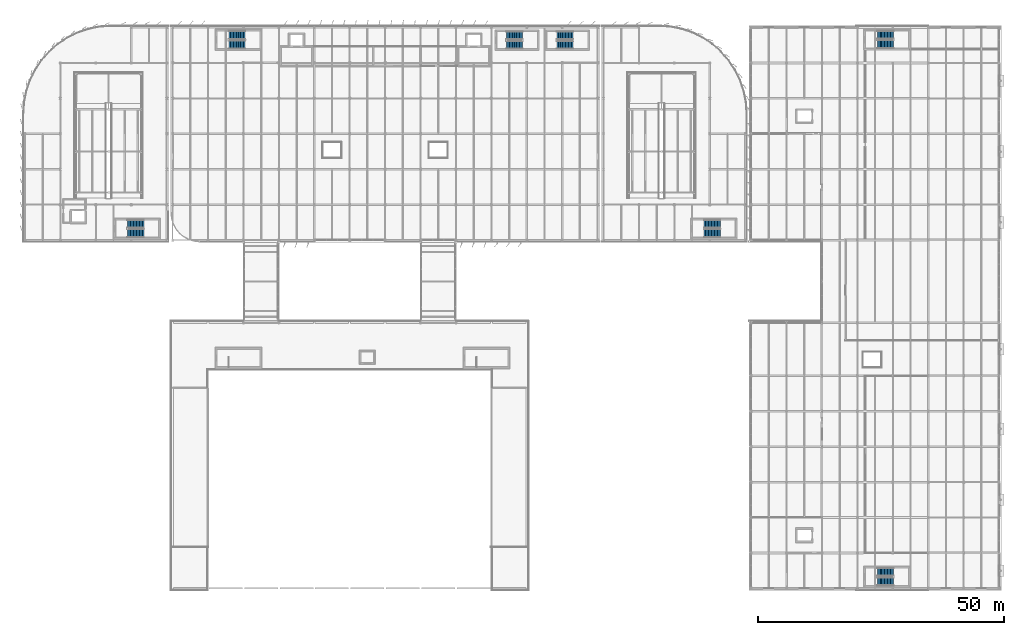
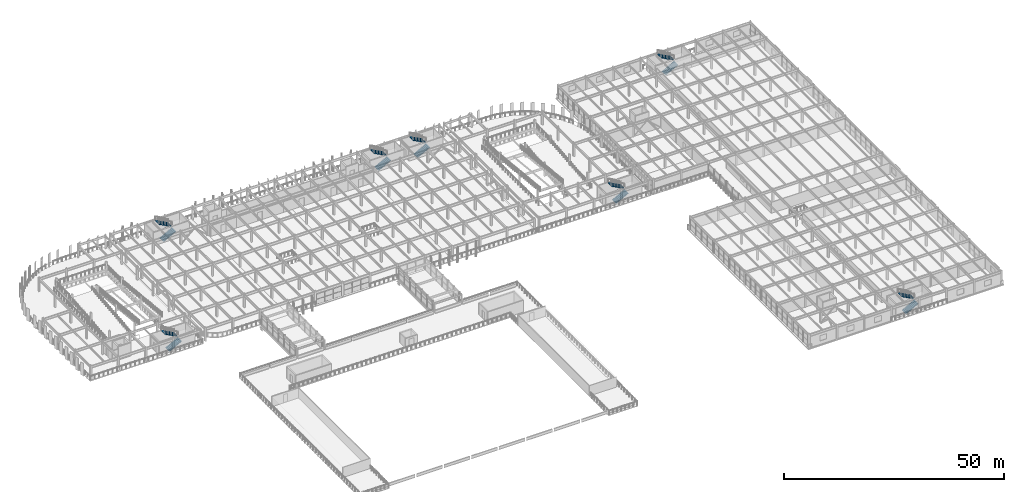
# One storey, part 69 of 93: 14 stair flights, 7 elements without a shape of their own.
"""IFC4 building model written with IfcOpenShell, lengths in metres."""

import ifcopenshell
import ifcopenshell.guid

model = None  # the IFC model being written
_history = None  # IfcOwnerHistory: only IFC2X3 demands one
_inside = {}  # id of a spatial element -> (the spatial element, [elements in it])
_under = {}  # id of a project, library or spatial element -> (it, [spatial elements below it])
_declared = {}  # id of a project -> (the project, [libraries it declares])
_typed = {}  # id of a type object -> (the type object, [elements of that type])
_made_of = {}  # id of a material, layer set ... -> (it, [elements and type objects made of it])


def new_model(schema):
    """Start an empty IFC model of exactly this schema.

    Asked for "IFC4X3", IfcOpenShell would pick the latest addendum, in which some entities
    have other attributes; the version numbers below select the first issue.
    IFC2X3 requires an IfcOwnerHistory on every rooted entity: one is made here for all.
    """
    global model, _history
    if schema == "IFC4X3":
        model = ifcopenshell.file(schema_version=(4, 3, 0, 0))
    else:
        model = ifcopenshell.file(schema=schema)
    _inside.clear()
    _under.clear()
    _declared.clear()
    _typed.clear()
    _made_of.clear()
    _history = None
    if model.schema == "IFC2X3":
        org = make("IfcOrganization", Name="unknown")
        user = make(
            "IfcPersonAndOrganization",
            ThePerson=make("IfcPerson", FamilyName="unknown"),
            TheOrganization=org,
        )
        app = make(
            "IfcApplication",
            ApplicationDeveloper=org,
            Version="unknown",
            ApplicationFullName="unknown",
            ApplicationIdentifier="unknown",
        )
        _history = make(
            "IfcOwnerHistory",
            OwningUser=user,
            OwningApplication=app,
            ChangeAction="ADDED",
            CreationDate=0,
        )
    return model


def make(cls, **values):
    """One entity of the class cls with the attributes given. An attribute that is None is left unset."""
    return model.create_entity(
        cls, **{name: value for name, value in values.items() if value is not None}
    )


def rooted(cls, **values):
    """An entity with a GlobalId (a new one), such as an element, a storey or a relation."""
    return make(cls, GlobalId=ifcopenshell.guid.new(), OwnerHistory=_history, **values)


def si_unit(unit_type, name, prefix=None):
    """IfcSIUnit, for example si_unit("LENGTHUNIT", "METRE", prefix="MILLI")."""
    return make("IfcSIUnit", UnitType=unit_type, Prefix=prefix, Name=name)


def assignment(units):
    """IfcUnitAssignment: the units of a project."""
    return None if units is None else make("IfcUnitAssignment", Units=units)


def point(xyz):
    """IfcCartesianPoint."""
    return None if xyz is None else make("IfcCartesianPoint", Coordinates=xyz)


def direction(xyz):
    """IfcDirection."""
    return None if xyz is None else make("IfcDirection", DirectionRatios=xyz)


def frame(location, z_axis=None, x_axis=None):
    """IfcAxis2Placement3D, a coordinate frame: its origin and axes. An axis left out is left unset."""
    return make(
        "IfcAxis2Placement3D",
        Location=point(location),
        Axis=direction(z_axis),
        RefDirection=direction(x_axis),
    )


def origin():
    """The frame at (0, 0, 0) with its axes left unset."""
    return frame((0.0, 0.0, 0.0))


def place(relative_to, where):
    """IfcLocalPlacement: puts the frame where relative to a parent placement (None: the world)."""
    return make(
        "IfcLocalPlacement", PlacementRelTo=relative_to, RelativePlacement=where
    )


def context(
    kind, dimensions, precision=None, world=None, true_north=None, identifier=None
):
    """IfcGeometricRepresentationContext, for example the 3D "Model" context."""
    return make(
        "IfcGeometricRepresentationContext",
        ContextIdentifier=identifier,
        ContextType=kind,
        CoordinateSpaceDimension=dimensions,
        Precision=precision,
        WorldCoordinateSystem=world,
        TrueNorth=true_north,
    )


def subcontext(parent, identifier, kind, view, scale=None):
    """IfcGeometricRepresentationSubContext, for example "Body" below "Model"."""
    return make(
        "IfcGeometricRepresentationSubContext",
        ContextIdentifier=identifier,
        ContextType=kind,
        ParentContext=parent,
        TargetScale=scale,
        TargetView=view,
    )


def project(units=None, contexts=None):
    """IfcProject with its units and contexts."""
    return rooted(
        "IfcProject",
        Name="project",
        RepresentationContexts=contexts,
        UnitsInContext=assignment(units),
    )


def spatial(cls, under=None, at=None, **own):
    """A site, building, storey or space (cls), placed at a placement, below another one or the project."""
    s = rooted(cls, ObjectPlacement=at, **own)
    if under is not None:
        _under.setdefault(under.id(), (under, []))[1].append(s)
    return s


def polyline(points):
    """IfcPolyline through the points."""
    return make("IfcPolyline", Points=[point(p) for p in points])


def outline(outer, holes=None, kind="AREA"):
    """IfcArbitraryClosedProfileDef: a profile drawn as a closed curve; with holes, ...WithVoids."""
    if holes is None:
        return make("IfcArbitraryClosedProfileDef", ProfileType=kind, OuterCurve=outer)
    return make(
        "IfcArbitraryProfileDefWithVoids",
        ProfileType=kind,
        OuterCurve=outer,
        InnerCurves=holes,
    )


def extrude(swept, where, along, depth):
    """IfcExtrudedAreaSolid: the profile swept, set in the frame where, extruded along a direction by depth."""
    return make(
        "IfcExtrudedAreaSolid",
        SweptArea=swept,
        Position=where,
        ExtrudedDirection=direction(along),
        Depth=depth,
    )


def shape(context_of_items, identifier, shape_type, items):
    """IfcShapeRepresentation: the items that make up one representation, for example the "Body"."""
    return make(
        "IfcShapeRepresentation",
        ContextOfItems=context_of_items,
        RepresentationIdentifier=identifier,
        RepresentationType=shape_type,
        Items=items,
    )


def material(Name=None, Category=None):
    """IfcMaterial."""
    return make("IfcMaterial", Name=Name, Category=Category)


def layer(
    of_material, thickness, ventilated=None, Name=None, Category=None, Priority=None
):
    """IfcMaterialLayer: one layer of a wall or slab, of a material (None: an air gap)."""
    return make(
        "IfcMaterialLayer",
        Material=of_material,
        LayerThickness=thickness,
        IsVentilated=ventilated,
        Name=Name,
        Category=Category,
        Priority=Priority,
    )


def layer_set(layers, Name=None):
    """IfcMaterialLayerSet."""
    return make("IfcMaterialLayerSet", MaterialLayers=layers, LayerSetName=Name)


def made_of(thing, what):
    """Note that an element or type object is made of a material, layer set ...; save() writes the relation."""
    if what is not None:
        _made_of.setdefault(what.id(), (what, []))[1].append(thing)
    return thing


def type_object(cls, material=None, **own):
    """A type object (cls), such as IfcWallType, which elements share."""
    return made_of(rooted(cls, **own), material)


def element(
    cls,
    number,
    at=None,
    inside=None,
    cuts=None,
    type_object=None,
    material=None,
    context=None,
    identifier="Body",
    shape_type=None,
    held_by="IfcProductDefinitionShape",
    body=None,
    shapes=None,
    **own,
):
    """One element of the class cls, such as IfcWall. Its Tag is "e" and its number.

    at: its placement. inside: the storey or other place that contains it. cuts: it is an
    opening in that element (IfcRelVoidsElement). A single representation is given by context,
    identifier, shape_type and body (its items); several are given by shapes. held_by: the class
    of the entity that holds the representations. save() writes the other relations.
    """
    e = rooted(cls, Tag="e%d" % number, ObjectPlacement=at, **own)
    if body is not None:
        shapes = [shape(context, identifier, shape_type, body)]
    if shapes is not None:
        e.Representation = make(held_by, Representations=shapes)
    if inside is not None:
        _inside.setdefault(inside.id(), (inside, []))[1].append(e)
    if cuts is not None:
        rooted(
            "IfcRelVoidsElement", RelatingBuildingElement=cuts, RelatedOpeningElement=e
        )
    if type_object is not None:
        _typed.setdefault(type_object.id(), (type_object, []))[1].append(e)
    return made_of(e, material)


def aggregate(whole, parts):
    """IfcRelAggregates: a whole, such as a stair, and the parts it consists of."""
    return rooted("IfcRelAggregates", RelatingObject=whole, RelatedObjects=parts)


def save(model, path):
    """Write the relations noted so far, then the file.

    IfcRelAggregates (storeys below a building ...), IfcRelContainedInSpatialStructure (elements
    in a storey), IfcRelDefinesByType, IfcRelAssociatesMaterial and IfcRelDeclares: one each for
    every whole, place, type object, material and project.
    """
    for whole, parts in _under.values():
        aggregate(whole, parts)
    for where, things in _inside.values():
        rooted(
            "IfcRelContainedInSpatialStructure",
            RelatedElements=things,
            RelatingStructure=where,
        )
    for kind, things in _typed.values():
        rooted("IfcRelDefinesByType", RelatedObjects=things, RelatingType=kind)
    for what, things in _made_of.values():
        rooted("IfcRelAssociatesMaterial", RelatedObjects=things, RelatingMaterial=what)
    for by, libraries in _declared.values():
        rooted("IfcRelDeclares", RelatingContext=by, RelatedDefinitions=libraries)
    model.write(path)


model = new_model("IFC4")

# Units and contexts
model_context = context("Model", 3, precision=1e-05, world=origin(), true_north=direction((0.0, 1.0)))
body_context = subcontext(model_context, "Body", "Model", "MODEL_VIEW")
ifc_project = project(units=[si_unit("LENGTHUNIT", "METRE"), si_unit("AREAUNIT", "SQUARE_METRE"), si_unit("VOLUMEUNIT", "CUBIC_METRE"), si_unit("PLANEANGLEUNIT", "RADIAN"), si_unit("MASSUNIT", "GRAM", prefix="KILO")], contexts=[model_context])

# Site, building, storey
site_placement = place(None, origin())
site = spatial("IfcSite", under=ifc_project, at=site_placement, CompositionType="ELEMENT")
building_placement = place(site_placement, origin())
building = spatial("IfcBuilding", under=site, at=building_placement, Name="Vaelcorin Mobility Hub", CompositionType="ELEMENT")
storey_placement = place(building_placement, frame((0.0, 0.0, 5.39990234375)))
storey = spatial("IfcBuildingStorey", under=building, at=storey_placement, Name="L01", CompositionType="ELEMENT", Elevation=5.39990234375)

# Stair, stair flights
ifc_material = material(Name="Reinforced concrete f'c 45 MPa", Category="concrete")
stair_type_1 = type_object("IfcStairType", Name="STAIR-ST1", PredefinedType="HALF_TURN_STAIR", material=ifc_material)
stair_1_placement = place(storey_placement, origin())
stair_1 = element("IfcStair", 1, at=stair_1_placement, inside=storey, type_object=stair_type_1, Name="L01 Protected Exit Stair ST1", PredefinedType="HALF_TURN_STAIR")
ifc_layer_1 = layer(ifc_material, 0.2080078125)
ifc_layer_set_1 = layer_set([ifc_layer_1], Name="Reinforced concrete f'c 45 MPa")
stair_flight_type_1 = type_object("IfcStairFlightType", Name="FLT-ST1", PredefinedType="STRAIGHT", material=ifc_layer_set_1)
stair_flight_1_placement = place(storey_placement, frame((26.85009765625, 78.18994140625, 0.0), z_axis=(0.0, 0.0, 1.0), x_axis=(1.0, 0.0, 0.0)))
stair_flight_1 = element("IfcStairFlight", 2, at=stair_flight_1_placement, type_object=stair_flight_type_1, Name="ST1 flight 1", NumberOfRisers=12, NumberOfTreads=11, PredefinedType="STRAIGHT", RiserHeight=0.1625, TreadLength=0.3, context=body_context, shape_type="SweptSolid", body=[
    extrude(outline(polyline([(0.0, 0.0), (0.0, 0.16259765625), (0.300048828125, 0.16259765625), (0.300048828125, 0.324951171875), (0.60009765625, 0.324951171875), (0.60009765625, 0.487548828125), (0.89990234375, 0.487548828125), (0.89990234375, 0.64990234375), (1.199951171875, 0.64990234375), (1.199951171875, 0.8125), (1.5, 0.8125), (1.5, 0.97509765625), (1.800048828125, 0.97509765625), (1.800048828125, 1.137451171875), (2.10009765625, 1.137451171875), (2.10009765625, 1.300048828125), (2.39990234375, 1.300048828125), (2.39990234375, 1.46240234375), (2.699951171875, 1.46240234375), (2.699951171875, 1.625), (3.0, 1.625), (3.0, 1.78759765625), (3.300048828125, 1.78759765625), (3.300048828125, 1.949951171875), (3.300048828125, 1.605712890625), (0.335693359375, 0.0), (0.0, 0.0)])), frame((0.0, 0.83984375, 0.0), z_axis=(0.0, -1.0, 0.0), x_axis=(1.0, 0.0, 0.0)), (0.0, 0.0, 1.0), 1.679931640625),
])
stair_flight_2_placement = place(storey_placement, frame((30.14990234375, 80.070068359375, 1.9501953125), z_axis=(0.0, 0.0, 1.0), x_axis=(-1.0, 0.0, 0.0)))
stair_flight_2 = element("IfcStairFlight", 3, at=stair_flight_2_placement, type_object=stair_flight_type_1, Name="ST1 flight 2", NumberOfRisers=12, NumberOfTreads=11, PredefinedType="STRAIGHT", RiserHeight=0.1625, TreadLength=0.3, context=body_context, shape_type="SweptSolid", body=[
    extrude(outline(polyline([(0.0, 0.0), (0.0, 0.16259765625), (0.300048828125, 0.16259765625), (0.300048828125, 0.324951171875), (0.60009765625, 0.324951171875), (0.60009765625, 0.487548828125), (0.89990234375, 0.487548828125), (0.89990234375, 0.64990234375), (1.199951171875, 0.64990234375), (1.199951171875, 0.8125), (1.5, 0.8125), (1.5, 0.97509765625), (1.800048828125, 0.97509765625), (1.800048828125, 1.137451171875), (2.10009765625, 1.137451171875), (2.10009765625, 1.300048828125), (2.39990234375, 1.300048828125), (2.39990234375, 1.46240234375), (2.699951171875, 1.46240234375), (2.699951171875, 1.625), (3.0, 1.625), (3.0, 1.78759765625), (3.300048828125, 1.78759765625), (3.300048828125, 1.949951171875), (3.300048828125, 1.605712890625), (0.335693359375, 0.0), (0.0, 0.0)])), frame((0.0, 0.83984375, 0.0), z_axis=(0.0, -1.0, 0.0), x_axis=(1.0, 0.0, 0.0)), (0.0, 0.0, 1.0), 1.679931640625),
])
aggregate(stair_1, [stair_flight_1, stair_flight_2])

stair_type_2 = type_object("IfcStairType", Name="STAIR-ST2", PredefinedType="HALF_TURN_STAIR", material=ifc_material)
stair_2_placement = place(storey_placement, origin())
stair_2 = element("IfcStair", 4, at=stair_2_placement, inside=storey, type_object=stair_type_2, Name="L01 Protected Exit Stair ST2", PredefinedType="HALF_TURN_STAIR")
ifc_layer_2 = layer(ifc_material, 0.216064453125)
ifc_layer_set_2 = layer_set([ifc_layer_2], Name="Reinforced concrete f'c 45 MPa")
stair_flight_type_2 = type_object("IfcStairFlightType", Name="FLT-ST2", PredefinedType="STRAIGHT", material=ifc_layer_set_2)
stair_flight_3_placement = place(storey_placement, frame((144.050048828125, 78.18994140625, 0.0), z_axis=(0.0, 0.0, 1.0), x_axis=(1.0, 0.0, 0.0)))
stair_flight_3 = element("IfcStairFlight", 5, at=stair_flight_3_placement, type_object=stair_flight_type_2, Name="ST2 flight 1", NumberOfRisers=12, NumberOfTreads=11, PredefinedType="STRAIGHT", RiserHeight=0.1625, TreadLength=0.3, context=body_context, shape_type="SweptSolid", body=[
    extrude(outline(polyline([(0.0, 0.0), (0.0, 0.16259765625), (0.300048828125, 0.16259765625), (0.300048828125, 0.324951171875), (0.60009765625, 0.324951171875), (0.60009765625, 0.487548828125), (0.89990234375, 0.487548828125), (0.89990234375, 0.64990234375), (1.199951171875, 0.64990234375), (1.199951171875, 0.8125), (1.5, 0.8125), (1.5, 0.97509765625), (1.800048828125, 0.97509765625), (1.800048828125, 1.137451171875), (2.10009765625, 1.137451171875), (2.10009765625, 1.300048828125), (2.39990234375, 1.300048828125), (2.39990234375, 1.46240234375), (2.699951171875, 1.46240234375), (2.699951171875, 1.625), (3.0, 1.625), (3.0, 1.78759765625), (3.300048828125, 1.78759765625), (3.300048828125, 1.949951171875), (3.300048828125, 1.605712890625), (0.335693359375, 0.0), (0.0, 0.0)])), frame((0.0, 0.83984375, 0.0), z_axis=(0.0, -1.0, 0.0), x_axis=(1.0, 0.0, 0.0)), (0.0, 0.0, 1.0), 1.679931640625),
])
stair_flight_4_placement = place(storey_placement, frame((147.35009765625, 80.070068359375, 1.9501953125), z_axis=(0.0, 0.0, 1.0), x_axis=(-1.0, 0.0, 0.0)))
stair_flight_4 = element("IfcStairFlight", 6, at=stair_flight_4_placement, type_object=stair_flight_type_2, Name="ST2 flight 2", NumberOfRisers=12, NumberOfTreads=11, PredefinedType="STRAIGHT", RiserHeight=0.1625, TreadLength=0.3, context=body_context, shape_type="SweptSolid", body=[
    extrude(outline(polyline([(0.0, 0.0), (0.0, 0.16259765625), (0.300048828125, 0.16259765625), (0.300048828125, 0.324951171875), (0.60009765625, 0.324951171875), (0.60009765625, 0.487548828125), (0.89990234375, 0.487548828125), (0.89990234375, 0.64990234375), (1.199951171875, 0.64990234375), (1.199951171875, 0.8125), (1.5, 0.8125), (1.5, 0.97509765625), (1.800048828125, 0.97509765625), (1.800048828125, 1.137451171875), (2.10009765625, 1.137451171875), (2.10009765625, 1.300048828125), (2.39990234375, 1.300048828125), (2.39990234375, 1.46240234375), (2.699951171875, 1.46240234375), (2.699951171875, 1.625), (3.0, 1.625), (3.0, 1.78759765625), (3.300048828125, 1.78759765625), (3.300048828125, 1.949951171875), (3.300048828125, 1.605712890625), (0.335693359375, 0.0), (0.0, 0.0)])), frame((0.0, 0.83984375, 0.0), z_axis=(0.0, -1.0, 0.0), x_axis=(1.0, 0.0, 0.0)), (0.0, 0.0, 1.0), 1.679931640625),
])
aggregate(stair_2, [stair_flight_3, stair_flight_4])

stair_type_3 = type_object("IfcStairType", Name="STAIR-ST3", PredefinedType="HALF_TURN_STAIR", material=ifc_material)
stair_3_placement = place(storey_placement, origin())
stair_3 = element("IfcStair", 7, at=stair_3_placement, inside=storey, type_object=stair_type_3, Name="L01 Protected Exit Stair ST3", PredefinedType="HALF_TURN_STAIR")
ifc_layer_3 = layer(ifc_material, 0.22412109375)
ifc_layer_set_3 = layer_set([ifc_layer_3], Name="Reinforced concrete f'c 45 MPa")
stair_flight_type_3 = type_object("IfcStairFlightType", Name="FLT-ST3", PredefinedType="STRAIGHT", material=ifc_layer_set_3)
stair_flight_5_placement = place(storey_placement, frame((47.449951171875, 116.52001953125, 0.0), z_axis=(0.0, 0.0, 1.0), x_axis=(1.0, 0.0, 0.0)))
stair_flight_5 = element("IfcStairFlight", 8, at=stair_flight_5_placement, type_object=stair_flight_type_3, Name="ST3 flight 1", NumberOfRisers=12, NumberOfTreads=11, PredefinedType="STRAIGHT", RiserHeight=0.1625, TreadLength=0.3, context=body_context, shape_type="SweptSolid", body=[
    extrude(outline(polyline([(0.0, 0.0), (0.0, 0.16259765625), (0.300048828125, 0.16259765625), (0.300048828125, 0.324951171875), (0.60009765625, 0.324951171875), (0.60009765625, 0.487548828125), (0.89990234375, 0.487548828125), (0.89990234375, 0.64990234375), (1.199951171875, 0.64990234375), (1.199951171875, 0.8125), (1.5, 0.8125), (1.5, 0.97509765625), (1.800048828125, 0.97509765625), (1.800048828125, 1.137451171875), (2.10009765625, 1.137451171875), (2.10009765625, 1.300048828125), (2.39990234375, 1.300048828125), (2.39990234375, 1.46240234375), (2.699951171875, 1.46240234375), (2.699951171875, 1.625), (3.0, 1.625), (3.0, 1.78759765625), (3.300048828125, 1.78759765625), (3.300048828125, 1.949951171875), (3.300048828125, 1.605712890625), (0.335693359375, 0.0), (0.0, 0.0)])), frame((0.0, 0.8701171875, 0.0), z_axis=(0.0, -1.0, 0.0), x_axis=(1.0, 0.0, 0.0)), (0.0, 0.0, 1.0), 1.739990234375),
])
stair_flight_6_placement = place(storey_placement, frame((50.75, 118.4599609375, 1.9501953125), z_axis=(0.0, 0.0, 1.0), x_axis=(-1.0, 0.0, 0.0)))
stair_flight_6 = element("IfcStairFlight", 9, at=stair_flight_6_placement, type_object=stair_flight_type_3, Name="ST3 flight 2", NumberOfRisers=12, NumberOfTreads=11, PredefinedType="STRAIGHT", RiserHeight=0.1625, TreadLength=0.3, context=body_context, shape_type="SweptSolid", body=[
    extrude(outline(polyline([(0.0, 0.0), (0.0, 0.16259765625), (0.300048828125, 0.16259765625), (0.300048828125, 0.324951171875), (0.60009765625, 0.324951171875), (0.60009765625, 0.487548828125), (0.89990234375, 0.487548828125), (0.89990234375, 0.64990234375), (1.199951171875, 0.64990234375), (1.199951171875, 0.8125), (1.5, 0.8125), (1.5, 0.97509765625), (1.800048828125, 0.97509765625), (1.800048828125, 1.137451171875), (2.10009765625, 1.137451171875), (2.10009765625, 1.300048828125), (2.39990234375, 1.300048828125), (2.39990234375, 1.46240234375), (2.699951171875, 1.46240234375), (2.699951171875, 1.625), (3.0, 1.625), (3.0, 1.78759765625), (3.300048828125, 1.78759765625), (3.300048828125, 1.949951171875), (3.300048828125, 1.605712890625), (0.335693359375, 0.0), (0.0, 0.0)])), frame((0.0, 0.8701171875, 0.0), z_axis=(0.0, -1.0, 0.0), x_axis=(1.0, 0.0, 0.0)), (0.0, 0.0, 1.0), 1.739990234375),
])
aggregate(stair_3, [stair_flight_5, stair_flight_6])

stair_type_4 = type_object("IfcStairType", Name="STAIR-ST4", PredefinedType="HALF_TURN_STAIR", material=ifc_material)
stair_4_placement = place(storey_placement, origin())
stair_4 = element("IfcStair", 10, at=stair_4_placement, inside=storey, type_object=stair_type_4, Name="L01 Protected Exit Stair ST4", PredefinedType="HALF_TURN_STAIR")
ifc_layer_4 = layer(ifc_material, 0.23193359375)
ifc_layer_set_4 = layer_set([ifc_layer_4], Name="Reinforced concrete f'c 45 MPa")
stair_flight_type_4 = type_object("IfcStairFlightType", Name="FLT-ST4", PredefinedType="STRAIGHT", material=ifc_layer_set_4)
stair_flight_7_placement = place(storey_placement, frame((103.85009765625, 116.489990234375, 0.0), z_axis=(0.0, 0.0, 1.0), x_axis=(1.0, 0.0, 0.0)))
stair_flight_7 = element("IfcStairFlight", 11, at=stair_flight_7_placement, type_object=stair_flight_type_4, Name="ST4 flight 1", NumberOfRisers=12, NumberOfTreads=11, PredefinedType="STRAIGHT", RiserHeight=0.1625, TreadLength=0.3, context=body_context, shape_type="SweptSolid", body=[
    extrude(outline(polyline([(0.0, 0.0), (0.0, 0.16259765625), (0.300048828125, 0.16259765625), (0.300048828125, 0.324951171875), (0.60009765625, 0.324951171875), (0.60009765625, 0.487548828125), (0.89990234375, 0.487548828125), (0.89990234375, 0.64990234375), (1.199951171875, 0.64990234375), (1.199951171875, 0.8125), (1.5, 0.8125), (1.5, 0.97509765625), (1.800048828125, 0.97509765625), (1.800048828125, 1.137451171875), (2.10009765625, 1.137451171875), (2.10009765625, 1.300048828125), (2.39990234375, 1.300048828125), (2.39990234375, 1.46240234375), (2.699951171875, 1.46240234375), (2.699951171875, 1.625), (3.0, 1.625), (3.0, 1.78759765625), (3.300048828125, 1.78759765625), (3.300048828125, 1.949951171875), (3.300048828125, 1.605712890625), (0.335693359375, 0.0), (0.0, 0.0)])), frame((0.0, 0.83984375, 0.0), z_axis=(0.0, -1.0, 0.0), x_axis=(1.0, 0.0, 0.0)), (0.0, 0.0, 1.0), 1.679931640625),
])
stair_flight_8_placement = place(storey_placement, frame((107.14990234375, 118.3701171875, 1.9501953125), z_axis=(0.0, 0.0, 1.0), x_axis=(-1.0, 0.0, 0.0)))
stair_flight_8 = element("IfcStairFlight", 12, at=stair_flight_8_placement, type_object=stair_flight_type_4, Name="ST4 flight 2", NumberOfRisers=12, NumberOfTreads=11, PredefinedType="STRAIGHT", RiserHeight=0.1625, TreadLength=0.3, context=body_context, shape_type="SweptSolid", body=[
    extrude(outline(polyline([(0.0, 0.0), (0.0, 0.16259765625), (0.300048828125, 0.16259765625), (0.300048828125, 0.324951171875), (0.60009765625, 0.324951171875), (0.60009765625, 0.487548828125), (0.89990234375, 0.487548828125), (0.89990234375, 0.64990234375), (1.199951171875, 0.64990234375), (1.199951171875, 0.8125), (1.5, 0.8125), (1.5, 0.97509765625), (1.800048828125, 0.97509765625), (1.800048828125, 1.137451171875), (2.10009765625, 1.137451171875), (2.10009765625, 1.300048828125), (2.39990234375, 1.300048828125), (2.39990234375, 1.46240234375), (2.699951171875, 1.46240234375), (2.699951171875, 1.625), (3.0, 1.625), (3.0, 1.78759765625), (3.300048828125, 1.78759765625), (3.300048828125, 1.949951171875), (3.300048828125, 1.605712890625), (0.335693359375, 0.0), (0.0, 0.0)])), frame((0.0, 0.83984375, 0.0), z_axis=(0.0, -1.0, 0.0), x_axis=(1.0, 0.0, 0.0)), (0.0, 0.0, 1.0), 1.679931640625),
])
aggregate(stair_4, [stair_flight_7, stair_flight_8])

stair_type_5 = type_object("IfcStairType", Name="STAIR-ST5", PredefinedType="HALF_TURN_STAIR", material=ifc_material)
stair_5_placement = place(storey_placement, origin())
stair_5 = element("IfcStair", 13, at=stair_5_placement, inside=storey, type_object=stair_type_5, Name="L01 Protected Exit Stair ST5", PredefinedType="HALF_TURN_STAIR")
ifc_layer_5 = layer(ifc_material, 0.239990234375)
ifc_layer_set_5 = layer_set([ifc_layer_5], Name="Reinforced concrete f'c 45 MPa")
stair_flight_type_5 = type_object("IfcStairFlightType", Name="FLT-ST5", PredefinedType="STRAIGHT", material=ifc_layer_set_5)
stair_flight_9_placement = place(storey_placement, frame((179.25, 7.39990234375, 0.0), z_axis=(0.0, 0.0, 1.0), x_axis=(1.0, 0.0, 0.0)))
stair_flight_9 = element("IfcStairFlight", 14, at=stair_flight_9_placement, type_object=stair_flight_type_5, Name="ST5 flight 1", NumberOfRisers=12, NumberOfTreads=11, PredefinedType="STRAIGHT", RiserHeight=0.1625, TreadLength=0.3, context=body_context, shape_type="SweptSolid", body=[
    extrude(outline(polyline([(0.0, 0.0), (0.0, 0.16259765625), (0.300048828125, 0.16259765625), (0.300048828125, 0.324951171875), (0.60009765625, 0.324951171875), (0.60009765625, 0.487548828125), (0.89990234375, 0.487548828125), (0.89990234375, 0.64990234375), (1.199951171875, 0.64990234375), (1.199951171875, 0.8125), (1.5, 0.8125), (1.5, 0.97509765625), (1.800048828125, 0.97509765625), (1.800048828125, 1.137451171875), (2.10009765625, 1.137451171875), (2.10009765625, 1.300048828125), (2.39990234375, 1.300048828125), (2.39990234375, 1.46240234375), (2.699951171875, 1.46240234375), (2.699951171875, 1.625), (3.0, 1.625), (3.0, 1.78759765625), (3.300048828125, 1.78759765625), (3.300048828125, 1.949951171875), (3.300048828125, 1.605712890625), (0.335693359375, 0.0), (0.0, 0.0)])), frame((0.0, 0.85009765625, 0.0), z_axis=(0.0, -1.0, 0.0), x_axis=(1.0, 0.0, 0.0)), (0.0, 0.0, 1.0), 1.699951171875),
])
stair_flight_10_placement = place(storey_placement, frame((182.550048828125, 9.300048828125, 1.9501953125), z_axis=(0.0, 0.0, 1.0), x_axis=(-1.0, 0.0, 0.0)))
stair_flight_10 = element("IfcStairFlight", 15, at=stair_flight_10_placement, type_object=stair_flight_type_5, Name="ST5 flight 2", NumberOfRisers=12, NumberOfTreads=11, PredefinedType="STRAIGHT", RiserHeight=0.1625, TreadLength=0.3, context=body_context, shape_type="SweptSolid", body=[
    extrude(outline(polyline([(0.0, 0.0), (0.0, 0.16259765625), (0.300048828125, 0.16259765625), (0.300048828125, 0.324951171875), (0.60009765625, 0.324951171875), (0.60009765625, 0.487548828125), (0.89990234375, 0.487548828125), (0.89990234375, 0.64990234375), (1.199951171875, 0.64990234375), (1.199951171875, 0.8125), (1.5, 0.8125), (1.5, 0.97509765625), (1.800048828125, 0.97509765625), (1.800048828125, 1.137451171875), (2.10009765625, 1.137451171875), (2.10009765625, 1.300048828125), (2.39990234375, 1.300048828125), (2.39990234375, 1.46240234375), (2.699951171875, 1.46240234375), (2.699951171875, 1.625), (3.0, 1.625), (3.0, 1.78759765625), (3.300048828125, 1.78759765625), (3.300048828125, 1.949951171875), (3.300048828125, 1.605712890625), (0.335693359375, 0.0), (0.0, 0.0)])), frame((0.0, 0.85009765625, 0.0), z_axis=(0.0, -1.0, 0.0), x_axis=(1.0, 0.0, 0.0)), (0.0, 0.0, 1.0), 1.699951171875),
])
aggregate(stair_5, [stair_flight_9, stair_flight_10])

stair_type_6 = type_object("IfcStairType", Name="STAIR-ST6", PredefinedType="HALF_TURN_STAIR", material=ifc_material)
stair_6_placement = place(storey_placement, origin())
stair_6 = element("IfcStair", 16, at=stair_6_placement, inside=storey, type_object=stair_type_6, Name="L01 Protected Exit Stair ST6", PredefinedType="HALF_TURN_STAIR")
ifc_layer_6 = layer(ifc_material, 0.248046875)
ifc_layer_set_6 = layer_set([ifc_layer_6], Name="Reinforced concrete f'c 45 MPa")
stair_flight_type_6 = type_object("IfcStairFlightType", Name="FLT-ST6", PredefinedType="STRAIGHT", material=ifc_layer_set_6)
stair_flight_11_placement = place(storey_placement, frame((179.25, 116.60009765625, 0.0), z_axis=(0.0, 0.0, 1.0), x_axis=(1.0, 0.0, 0.0)))
stair_flight_11 = element("IfcStairFlight", 17, at=stair_flight_11_placement, type_object=stair_flight_type_6, Name="ST6 flight 1", NumberOfRisers=12, NumberOfTreads=11, PredefinedType="STRAIGHT", RiserHeight=0.1625, TreadLength=0.3, context=body_context, shape_type="SweptSolid", body=[
    extrude(outline(polyline([(0.0, 0.0), (0.0, 0.16259765625), (0.300048828125, 0.16259765625), (0.300048828125, 0.324951171875), (0.60009765625, 0.324951171875), (0.60009765625, 0.487548828125), (0.89990234375, 0.487548828125), (0.89990234375, 0.64990234375), (1.199951171875, 0.64990234375), (1.199951171875, 0.8125), (1.5, 0.8125), (1.5, 0.97509765625), (1.800048828125, 0.97509765625), (1.800048828125, 1.137451171875), (2.10009765625, 1.137451171875), (2.10009765625, 1.300048828125), (2.39990234375, 1.300048828125), (2.39990234375, 1.46240234375), (2.699951171875, 1.46240234375), (2.699951171875, 1.625), (3.0, 1.625), (3.0, 1.78759765625), (3.300048828125, 1.78759765625), (3.300048828125, 1.949951171875), (3.300048828125, 1.605712890625), (0.335693359375, 0.0), (0.0, 0.0)])), frame((0.0, 0.85009765625, 0.0), z_axis=(0.0, -1.0, 0.0), x_axis=(1.0, 0.0, 0.0)), (0.0, 0.0, 1.0), 1.699951171875),
])
stair_flight_12_placement = place(storey_placement, frame((182.550048828125, 118.5, 1.9501953125), z_axis=(0.0, 0.0, 1.0), x_axis=(-1.0, 0.0, 0.0)))
stair_flight_12 = element("IfcStairFlight", 18, at=stair_flight_12_placement, type_object=stair_flight_type_6, Name="ST6 flight 2", NumberOfRisers=12, NumberOfTreads=11, PredefinedType="STRAIGHT", RiserHeight=0.1625, TreadLength=0.3, context=body_context, shape_type="SweptSolid", body=[
    extrude(outline(polyline([(0.0, 0.0), (0.0, 0.16259765625), (0.300048828125, 0.16259765625), (0.300048828125, 0.324951171875), (0.60009765625, 0.324951171875), (0.60009765625, 0.487548828125), (0.89990234375, 0.487548828125), (0.89990234375, 0.64990234375), (1.199951171875, 0.64990234375), (1.199951171875, 0.8125), (1.5, 0.8125), (1.5, 0.97509765625), (1.800048828125, 0.97509765625), (1.800048828125, 1.137451171875), (2.10009765625, 1.137451171875), (2.10009765625, 1.300048828125), (2.39990234375, 1.300048828125), (2.39990234375, 1.46240234375), (2.699951171875, 1.46240234375), (2.699951171875, 1.625), (3.0, 1.625), (3.0, 1.78759765625), (3.300048828125, 1.78759765625), (3.300048828125, 1.949951171875), (3.300048828125, 1.605712890625), (0.335693359375, 0.0), (0.0, 0.0)])), frame((0.0, 0.85009765625, 0.0), z_axis=(0.0, -1.0, 0.0), x_axis=(1.0, 0.0, 0.0)), (0.0, 0.0, 1.0), 1.699951171875),
])
aggregate(stair_6, [stair_flight_11, stair_flight_12])

stair_type_7 = type_object("IfcStairType", Name="STAIR-ST9", PredefinedType="HALF_TURN_STAIR", material=ifc_material)
stair_7_placement = place(storey_placement, origin())
stair_7 = element("IfcStair", 19, at=stair_7_placement, inside=storey, type_object=stair_type_7, Name="L01 Protected Exit Stair ST9", PredefinedType="HALF_TURN_STAIR")
ifc_layer_7 = layer(ifc_material, 0.27197265625)
ifc_layer_set_7 = layer_set([ifc_layer_7], Name="Reinforced concrete f'c 45 MPa")
stair_flight_type_7 = type_object("IfcStairFlightType", Name="FLT-ST9", PredefinedType="STRAIGHT", material=ifc_layer_set_7)
stair_flight_13_placement = place(storey_placement, frame((114.10009765625, 116.489990234375, 0.0), z_axis=(0.0, 0.0, 1.0), x_axis=(1.0, 0.0, 0.0)))
stair_flight_13 = element("IfcStairFlight", 20, at=stair_flight_13_placement, type_object=stair_flight_type_7, Name="ST9 flight 1", NumberOfRisers=12, NumberOfTreads=11, PredefinedType="STRAIGHT", RiserHeight=0.1625, TreadLength=0.3, context=body_context, shape_type="SweptSolid", body=[
    extrude(outline(polyline([(0.0, 0.0), (0.0, 0.16259765625), (0.300048828125, 0.16259765625), (0.300048828125, 0.324951171875), (0.60009765625, 0.324951171875), (0.60009765625, 0.487548828125), (0.89990234375, 0.487548828125), (0.89990234375, 0.64990234375), (1.199951171875, 0.64990234375), (1.199951171875, 0.8125), (1.5, 0.8125), (1.5, 0.97509765625), (1.800048828125, 0.97509765625), (1.800048828125, 1.137451171875), (2.10009765625, 1.137451171875), (2.10009765625, 1.300048828125), (2.39990234375, 1.300048828125), (2.39990234375, 1.46240234375), (2.699951171875, 1.46240234375), (2.699951171875, 1.625), (3.0, 1.625), (3.0, 1.78759765625), (3.300048828125, 1.78759765625), (3.300048828125, 1.949951171875), (3.300048828125, 1.605712890625), (0.335693359375, 0.0), (0.0, 0.0)])), frame((0.0, 0.83984375, 0.0), z_axis=(0.0, -1.0, 0.0), x_axis=(1.0, 0.0, 0.0)), (0.0, 0.0, 1.0), 1.679931640625),
])
stair_flight_14_placement = place(storey_placement, frame((117.39990234375, 118.3701171875, 1.9501953125), z_axis=(0.0, 0.0, 1.0), x_axis=(-1.0, 0.0, 0.0)))
stair_flight_14 = element("IfcStairFlight", 21, at=stair_flight_14_placement, type_object=stair_flight_type_7, Name="ST9 flight 2", NumberOfRisers=12, NumberOfTreads=11, PredefinedType="STRAIGHT", RiserHeight=0.1625, TreadLength=0.3, context=body_context, shape_type="SweptSolid", body=[
    extrude(outline(polyline([(0.0, 0.0), (0.0, 0.16259765625), (0.300048828125, 0.16259765625), (0.300048828125, 0.324951171875), (0.60009765625, 0.324951171875), (0.60009765625, 0.487548828125), (0.89990234375, 0.487548828125), (0.89990234375, 0.64990234375), (1.199951171875, 0.64990234375), (1.199951171875, 0.8125), (1.5, 0.8125), (1.5, 0.97509765625), (1.800048828125, 0.97509765625), (1.800048828125, 1.137451171875), (2.10009765625, 1.137451171875), (2.10009765625, 1.300048828125), (2.39990234375, 1.300048828125), (2.39990234375, 1.46240234375), (2.699951171875, 1.46240234375), (2.699951171875, 1.625), (3.0, 1.625), (3.0, 1.78759765625), (3.300048828125, 1.78759765625), (3.300048828125, 1.949951171875), (3.300048828125, 1.605712890625), (0.335693359375, 0.0), (0.0, 0.0)])), frame((0.0, 0.83984375, 0.0), z_axis=(0.0, -1.0, 0.0), x_axis=(1.0, 0.0, 0.0)), (0.0, 0.0, 1.0), 1.679931640625),
])
aggregate(stair_7, [stair_flight_13, stair_flight_14])

save(model, "model.ifc")
